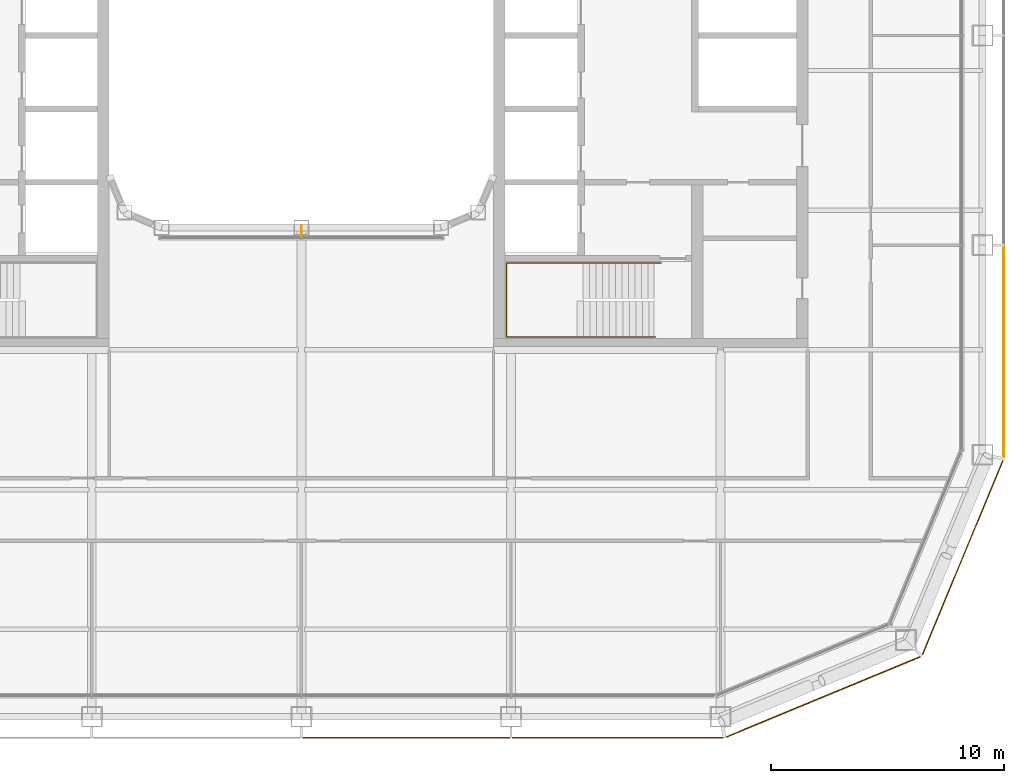
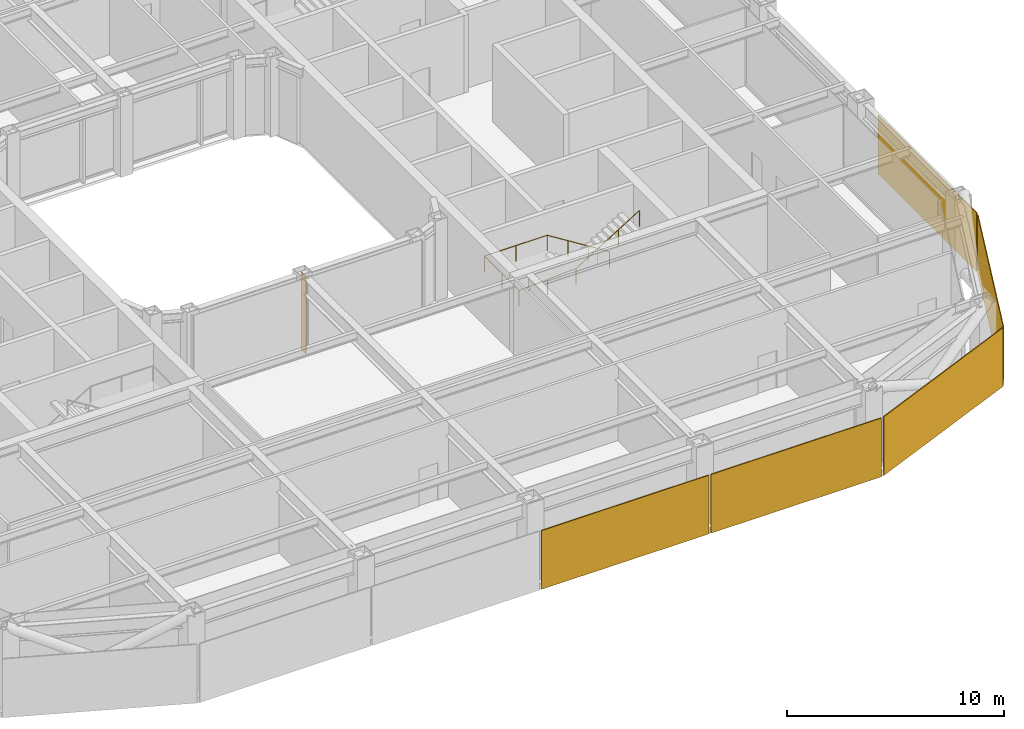
# One storey, part 19 of 23: 5 coverings, 1 railing, 1 shading device.
"""IFC4 building model written with IfcOpenShell, lengths in metres."""

from ifc_helpers import new_model, si_unit, direction, frame, origin, origin_2d, place, context, subcontext, project, spatial, rectangle, circle, extrude, material, layer, layer_set, type_object, element, save


model = new_model("IFC4")

# Units and contexts
model_context = context("Model", 3, precision=1e-05, world=origin(), true_north=direction((0.0, 1.0)))
body_context = subcontext(model_context, "Body", "Model", "MODEL_VIEW")
ifc_project = project(units=[si_unit("LENGTHUNIT", "METRE"), si_unit("AREAUNIT", "SQUARE_METRE"), si_unit("VOLUMEUNIT", "CUBIC_METRE"), si_unit("PLANEANGLEUNIT", "RADIAN"), si_unit("MASSUNIT", "GRAM", prefix="KILO")], contexts=[model_context])

# Site, building, storey
site_placement = place(None, origin())
site = spatial("IfcSite", under=ifc_project, at=site_placement, CompositionType="ELEMENT")
building_placement = place(site_placement, origin())
building = spatial("IfcBuilding", under=site, at=building_placement, Name="Siwar Civic Tower", CompositionType="ELEMENT")
storey_placement = place(building_placement, frame((0.0, 0.0, 172.199951171875)))
storey = spatial("IfcBuildingStorey", under=building, at=storey_placement, Name="L37", CompositionType="ELEMENT", Elevation=172.199951171875)

# Railing
ifc_material_1 = material(Name="Stainless steel", Category="steel")
railing_type = type_object("IfcRailingType", Name="CORE-STAIR-HANDRAIL", PredefinedType="HANDRAIL", material=ifc_material_1)
railing_placement = place(storey_placement, frame((15.449951171875, -9.758056640625, 0.173095703125)))
element("IfcRailing", 1, at=railing_placement, inside=storey, type_object=railing_type, Name="Stair handrail ST4", PredefinedType="HANDRAIL", context=body_context, shape_type="SweptSolid", body=[
    extrude(circle(Radius=0.02001953125, at=origin_2d()), frame((0.0, 0.0, 0.8798828125), z_axis=(-0.847063342986, 0.0, 0.531491950051), x_axis=(0.0, -1.0, 0.0)), (0.0, 0.0, 1.0), 3.90771484375),
    extrude(circle(Radius=0.02001953125, at=origin_2d()), frame((-3.31005859375, 0.0, 2.956787109375), z_axis=(-1.0, 0.0, 0.0), x_axis=(0.0, -1.0, 0.0)), (0.0, 0.0, 1.0), 3.331787109375),
    extrude(circle(Radius=0.02001953125, at=origin_2d()), frame((-6.641845703125, 0.0, 2.956787109375), z_axis=(0.0, -1.0, 0.0), x_axis=(1.0, 0.0, 0.0)), (0.0, 0.0, 1.0), 3.183837890625),
    extrude(circle(Radius=0.02001953125, at=origin_2d()), frame((-6.641845703125, -3.183837890625, 2.956787109375), z_axis=(0.99837434197, 0.0, 0.056997134106), x_axis=(0.0, 1.0, 0.0)), (0.0, 0.0, 1.0), 3.036865234375),
    extrude(circle(Radius=0.02001953125, at=origin_2d()), frame((-3.60986328125, -3.183837890625, 3.1298828125), z_axis=(0.850606129759, 0.0, 0.525803396734), x_axis=(0.0, 1.0, 0.0)), (0.0, 0.0, 1.0), 3.949951171875),
    extrude(circle(Radius=0.02001953125, at=origin_2d()), origin(), (0.0, 0.0, 1.0), 0.85986328125),
    extrude(circle(Radius=0.02001953125, at=origin_2d()), frame((-1.103271484375, 0.0, 0.6923828125)), (0.0, 0.0, 1.0), 0.85986328125),
    extrude(circle(Radius=0.02001953125, at=origin_2d()), frame((-2.206787109375, 0.0, 1.384521484375)), (0.0, 0.0, 1.0), 0.85986328125),
    extrude(circle(Radius=0.02001953125, at=origin_2d()), frame((-3.31005859375, 0.0, 2.076904296875)), (0.0, 0.0, 1.0), 0.85986328125),
    extrude(circle(Radius=0.02001953125, at=origin_2d()), frame((-4.97607421875, 0.0, 2.076904296875)), (0.0, 0.0, 1.0), 0.85986328125),
    extrude(circle(Radius=0.02001953125, at=origin_2d()), frame((-6.641845703125, 0.0, 2.076904296875)), (0.0, 0.0, 1.0), 0.85986328125),
    extrude(circle(Radius=0.02001953125, at=origin_2d()), frame((-6.641845703125, -1.591796875, 2.076904296875)), (0.0, 0.0, 1.0), 0.85986328125),
    extrude(circle(Radius=0.02001953125, at=origin_2d()), frame((-6.641845703125, -3.183837890625, 2.076904296875)), (0.0, 0.0, 1.0), 0.85986328125),
    extrude(circle(Radius=0.02001953125, at=origin_2d()), frame((-5.1259765625, -3.183837890625, 2.16357421875)), (0.0, 0.0, 1.0), 0.85986328125),
    extrude(circle(Radius=0.02001953125, at=origin_2d()), frame((-3.60986328125, -3.183837890625, 2.25)), (0.0, 0.0, 1.0), 0.85986328125),
    extrude(circle(Radius=0.02001953125, at=origin_2d()), frame((-2.489990234375, -3.183837890625, 2.9423828125)), (0.0, 0.0, 1.0), 0.85986328125),
    extrude(circle(Radius=0.02001953125, at=origin_2d()), frame((-1.369873046875, -3.183837890625, 3.634521484375)), (0.0, 0.0, 1.0), 0.85986328125),
    extrude(circle(Radius=0.02001953125, at=origin_2d()), frame((-0.25, -3.183837890625, 4.326904296875)), (0.0, 0.0, 1.0), 0.85986328125),
])

# Shading device
ifc_material_2 = material(Name="Aluminium 6063-T6", Category="aluminium")
ifc_layer_1 = layer(ifc_material_2, 0.02001953125)
ifc_layer_set_1 = layer_set([ifc_layer_1], Name="Aluminium 6063-T6")
shading_device_type = type_object("IfcShadingDeviceType", Name="ENV-FIN", PredefinedType="JALOUSIE", material=ifc_layer_set_1)
shading_device_placement = place(storey_placement, frame((0.0, -8.3701171875, 0.0), z_axis=(0.0, 0.0, 1.0), x_axis=(1.0, 0.0, 0.0)))
element("IfcShadingDevice", 2, at=shading_device_placement, inside=storey, type_object=shading_device_type, Name="SUNSHADE fin WS 1", PredefinedType="JALOUSIE", context=body_context, shape_type="SweptSolid", body=[
    extrude(rectangle(XDim=0.02001953125, YDim=0.449951171875, at=origin_2d()), origin(), (0.0, 0.0, 1.0), 4.35009765625),
])

# Coverings
ifc_material_3 = material(Name="Perforated aluminium cassette, pale metal", Category="aluminium")
ifc_layer_2 = layer(ifc_material_3, 0.0400390625)
ifc_layer_set_2 = layer_set([ifc_layer_2], Name="Perforated aluminium cassette, pale metal")
covering_type_1 = type_object("IfcCoveringType", Name="ENV-OUTER SKIN OS-1", PredefinedType="CLADDING", material=ifc_layer_set_2)
covering_1_placement = place(storey_placement, frame((30.14990234375, -13.57958984375, -0.14990234375), z_axis=(0.0, 0.0, 1.0), x_axis=(0.0, 1.0, 0.0)))
element("IfcCovering", 3, at=covering_1_placement, inside=storey, type_object=covering_type_1, Name="OUTER SKIN OS-1 E 1", PredefinedType="CLADDING", context=body_context, shape_type="SweptSolid", body=[
    extrude(rectangle(XDim=9.05908203125, YDim=0.0400390625, at=origin_2d()), origin(), (0.0, 0.0, 1.0), 3.300048828125),
])
ifc_material_4 = material(Name="Perforated aluminium cassette, pale metal", Category="aluminium")
ifc_layer_3 = layer(ifc_material_4, 0.044921875)
ifc_layer_set_3 = layer_set([ifc_layer_3], Name="Perforated aluminium cassette, pale metal")
covering_type_2 = type_object("IfcCoveringType", Name="ENV-OUTER SKIN OS-2", PredefinedType="CLADDING", material=ifc_layer_set_3)
covering_2_placement = place(storey_placement, frame((28.39697265625, -22.411376953125, -0.14990234375), z_axis=(0.0, 0.0, 1.0), x_axis=(0.382683432365, 0.923879532511, 0.0)))
element("IfcCovering", 4, at=covering_2_placement, inside=storey, type_object=covering_type_2, Name="OUTER SKIN OS-2 SE2 1", PredefinedType="CLADDING", context=body_context, shape_type="SweptSolid", body=[
    extrude(rectangle(XDim=9.022216796875, YDim=0.044921875, at=origin_2d()), origin(), (0.0, 0.0, 1.0), 3.300048828125),
])
ifc_material_5 = material(Name="Perforated aluminium cassette, pale metal", Category="aluminium")
ifc_layer_4 = layer(ifc_material_5, 0.050048828125)
ifc_layer_set_4 = layer_set([ifc_layer_4], Name="Perforated aluminium cassette, pale metal")
covering_type_3 = type_object("IfcCoveringType", Name="ENV-OUTER SKIN OS-3", PredefinedType="CLADDING", material=ifc_layer_set_4)
covering_3_placement = place(storey_placement, frame((22.411376953125, -28.39697265625, -0.14990234375), z_axis=(0.0, 0.0, 1.0), x_axis=(0.923879532511, 0.382683432365, 0.0)))
element("IfcCovering", 5, at=covering_3_placement, inside=storey, type_object=covering_type_3, Name="OUTER SKIN OS-3 SE1 1", PredefinedType="CLADDING", context=body_context, shape_type="SweptSolid", body=[
    extrude(rectangle(XDim=9.022216796875, YDim=0.050048828125, at=origin_2d()), origin(), (0.0, 0.0, 1.0), 3.300048828125),
])
ifc_material_6 = material(Name="Perforated aluminium cassette, pale metal", Category="aluminium")
ifc_layer_5 = layer(ifc_material_6, 0.054931640625)
ifc_layer_set_5 = layer_set([ifc_layer_5], Name="Perforated aluminium cassette, pale metal")
covering_type_4 = type_object("IfcCoveringType", Name="ENV-OUTER SKIN OS-4", PredefinedType="CLADDING", material=ifc_layer_set_5)
covering_4_placement = place(storey_placement, frame((4.5, -30.14990234375, -0.14990234375), z_axis=(0.0, 0.0, 1.0), x_axis=(1.0, 0.0, 0.0)))
element("IfcCovering", 6, at=covering_4_placement, inside=storey, type_object=covering_type_4, Name="OUTER SKIN OS-4 S 3", PredefinedType="CLADDING", context=body_context, shape_type="SweptSolid", body=[
    extrude(rectangle(XDim=8.89990234375, YDim=0.054931640625, at=origin_2d()), origin(), (0.0, 0.0, 1.0), 3.300048828125),
])
covering_5_placement = place(storey_placement, frame((13.57958984375, -30.14990234375, -0.14990234375), z_axis=(0.0, 0.0, 1.0), x_axis=(1.0, 0.0, 0.0)))
element("IfcCovering", 7, at=covering_5_placement, inside=storey, type_object=covering_type_4, Name="OUTER SKIN OS-4 S 4", PredefinedType="CLADDING", context=body_context, shape_type="SweptSolid", body=[
    extrude(rectangle(XDim=9.05908203125, YDim=0.054931640625, at=origin_2d()), origin(), (0.0, 0.0, 1.0), 3.300048828125),
])

save(model, "model.ifc")
